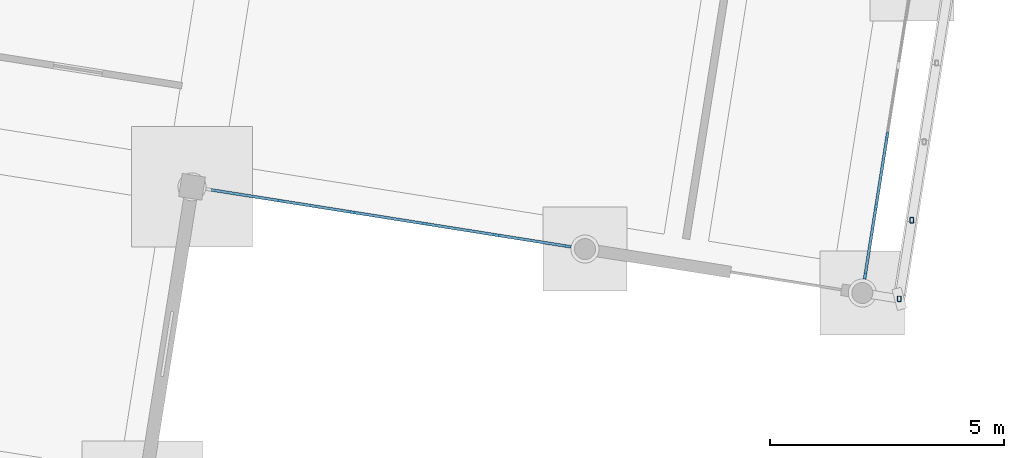
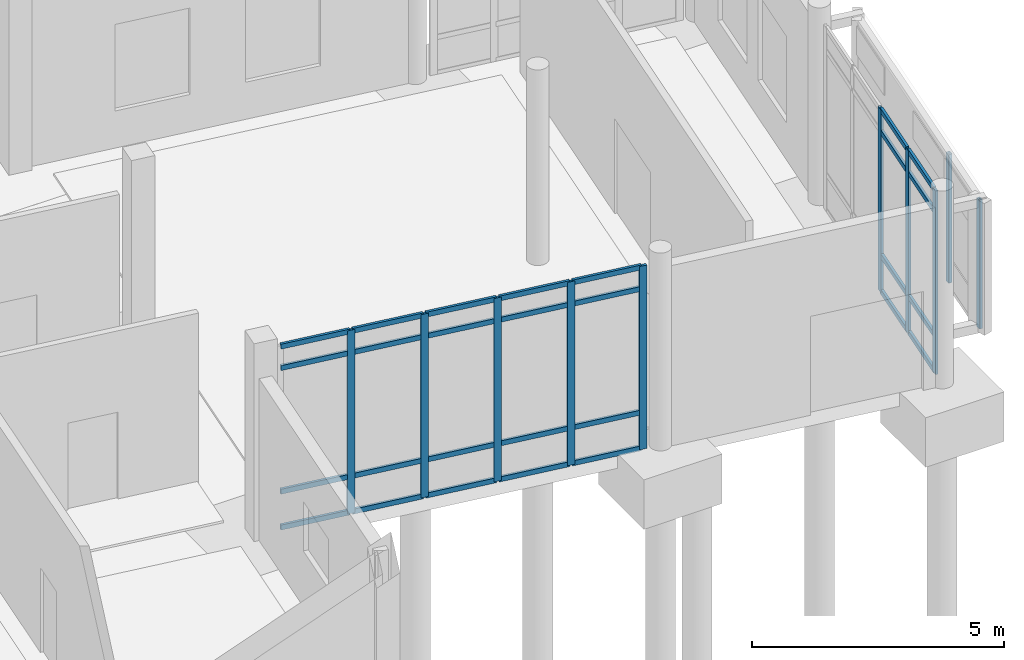
# One storey, part 26 of 72: 38 members, 2 elements without a shape of their own.
"""IFC4 building model written with IfcOpenShell, lengths in metres."""

from ifc_helpers import new_model, si_unit, direction, frame, origin, origin_2d, place, context, subcontext, project, spatial, rectangle, hollow_rectangle, extrude, material, material_profile, profile_set, type_object, element, aggregate, save


model = new_model("IFC4")

# Units and contexts
model_context = context("Model", 3, precision=1e-05, world=origin(), true_north=direction((0.0, 1.0)))
body_context = subcontext(model_context, "Body", "Model", "MODEL_VIEW")
ifc_project = project(units=[si_unit("LENGTHUNIT", "METRE"), si_unit("AREAUNIT", "SQUARE_METRE"), si_unit("VOLUMEUNIT", "CUBIC_METRE"), si_unit("PLANEANGLEUNIT", "RADIAN"), si_unit("MASSUNIT", "GRAM", prefix="KILO")], contexts=[model_context])

# Site, building, storey
site_placement = place(None, origin())
site = spatial("IfcSite", under=ifc_project, at=site_placement, CompositionType="ELEMENT")
building_placement = place(site_placement, origin())
building = spatial("IfcBuilding", under=site, at=building_placement, Name="Cinderway Yard Community Centre", CompositionType="ELEMENT")
storey_placement = place(building_placement, origin())
storey = spatial("IfcBuildingStorey", under=building, at=storey_placement, Name="L00", CompositionType="ELEMENT", Elevation=0.0)

# Curtain wall, members
ifc_material_1 = material(Name="Aluminium 6063-T6", Category="aluminium")
curtain_wall_type_1 = type_object("IfcCurtainWallType", Name="ENV-CW-TYPE-20", PredefinedType="USERDEFINED", material=ifc_material_1)
curtain_wall_1_placement = place(storey_placement, origin())
curtain_wall_1 = element("IfcCurtainWall", 1, at=curtain_wall_1_placement, inside=storey, type_object=curtain_wall_type_1, Name="East Entrance Pavilion Curtain Wall ENV-CW-L00-ST-0069", ObjectType="GLAZED CURTAIN WALL", PredefinedType="USERDEFINED")
ifc_material_profile_1 = material_profile(ifc_material_1, rectangle(XDim=0.06005859375, YDim=0.159912109375, at=origin_2d()), Name="Aluminium 6063-T6")
ifc_profile_set_1 = profile_set([ifc_material_profile_1], Name="Aluminium 6063-T6")
member_type_1 = type_object("IfcMemberType", Name="ENV-CW-MULL-150", PredefinedType="MULLION", material=ifc_profile_set_1)
member_1_placement = place(storey_placement, frame((151.644775390625, 46.44091796875, 0.0), z_axis=(0.0, 0.0, 1.0), x_axis=(0.156410235851, 0.987692177817, 0.0)))
member_1 = element("IfcMember", 2, at=member_1_placement, type_object=member_type_1, Name="CW-20 mullion 2", PredefinedType="MULLION", context=body_context, shape_type="SweptSolid", body=[
    extrude(rectangle(XDim=0.06005859375, YDim=0.159912109375, at=origin_2d()), origin(), (0.0, 0.0, 1.0), 4.449951171875),
])
member_2_placement = place(storey_placement, frame((153.185546875, 46.197021484375, 0.0), z_axis=(0.0, 0.0, 1.0), x_axis=(0.156410235851, 0.987692177817, 0.0)))
member_2 = element("IfcMember", 3, at=member_2_placement, type_object=member_type_1, Name="CW-20 mullion 3", PredefinedType="MULLION", context=body_context, shape_type="SweptSolid", body=[
    extrude(rectangle(XDim=0.06005859375, YDim=0.159912109375, at=origin_2d()), origin(), (0.0, 0.0, 1.0), 4.449951171875),
])
member_3_placement = place(storey_placement, frame((154.726318359375, 45.952880859375, 0.0), z_axis=(0.0, 0.0, 1.0), x_axis=(0.156410235851, 0.987692177817, 0.0)))
member_3 = element("IfcMember", 4, at=member_3_placement, type_object=member_type_1, Name="CW-20 mullion 4", PredefinedType="MULLION", context=body_context, shape_type="SweptSolid", body=[
    extrude(rectangle(XDim=0.06005859375, YDim=0.159912109375, at=origin_2d()), origin(), (0.0, 0.0, 1.0), 4.449951171875),
])
member_4_placement = place(storey_placement, frame((156.26708984375, 45.708984375, 0.0), z_axis=(0.0, 0.0, 1.0), x_axis=(0.156410235851, 0.987692177817, 0.0)))
member_4 = element("IfcMember", 5, at=member_4_placement, type_object=member_type_1, Name="CW-20 mullion 5", PredefinedType="MULLION", context=body_context, shape_type="SweptSolid", body=[
    extrude(rectangle(XDim=0.06005859375, YDim=0.159912109375, at=origin_2d()), origin(), (0.0, 0.0, 1.0), 4.449951171875),
])
member_5_placement = place(storey_placement, frame((157.7783203125, 45.4697265625, 0.0), z_axis=(0.0, 0.0, 1.0), x_axis=(0.156410235851, 0.987692177817, 0.0)))
member_5 = element("IfcMember", 6, at=member_5_placement, type_object=member_type_1, Name="CW-20 mullion 6", PredefinedType="MULLION", context=body_context, shape_type="SweptSolid", body=[
    extrude(rectangle(XDim=0.06005859375, YDim=0.159912109375, at=origin_2d()), origin(), (0.0, 0.0, 1.0), 4.449951171875),
])

curtain_wall_type_2 = type_object("IfcCurtainWallType", Name="ENV-CW-TYPE-21", PredefinedType="USERDEFINED", material=ifc_material_1)
curtain_wall_2_placement = place(storey_placement, origin())
curtain_wall_2 = element("IfcCurtainWall", 7, at=curtain_wall_2_placement, inside=storey, type_object=curtain_wall_type_2, Name="East Entrance Pavilion Curtain Wall ENV-CW-L00-ST-0070", ObjectType="GLAZED CURTAIN WALL", PredefinedType="USERDEFINED")
member_6_placement = place(storey_placement, frame((164.1396484375, 44.8466796875, 0.0), z_axis=(0.0, 0.0, 1.0), x_axis=(-0.987720393592, 0.156231956025, 0.0)))
member_6 = element("IfcMember", 8, at=member_6_placement, type_object=member_type_1, Name="CW-21 mullion 1", PredefinedType="MULLION", context=body_context, shape_type="SweptSolid", body=[
    extrude(rectangle(XDim=0.06005859375, YDim=0.159912109375, at=origin_2d()), origin(), (0.0, 0.0, 1.0), 4.449951171875),
])
member_7_placement = place(storey_placement, frame((164.373291015625, 46.3232421875, 0.0), z_axis=(0.0, 0.0, 1.0), x_axis=(-0.987720393592, 0.156231956025, 0.0)))
member_7 = element("IfcMember", 9, at=member_7_placement, type_object=member_type_1, Name="CW-21 mullion 2", PredefinedType="MULLION", context=body_context, shape_type="SweptSolid", body=[
    extrude(rectangle(XDim=0.06005859375, YDim=0.159912109375, at=origin_2d()), origin(), (0.0, 0.0, 1.0), 4.449951171875),
])
member_8_placement = place(storey_placement, frame((164.611572265625, 47.82958984375, 0.0), z_axis=(0.0, 0.0, 1.0), x_axis=(-0.987720393592, 0.156231956025, 0.0)))
member_8 = element("IfcMember", 10, at=member_8_placement, type_object=member_type_1, Name="CW-21 mullion 3", PredefinedType="MULLION", context=body_context, shape_type="SweptSolid", body=[
    extrude(rectangle(XDim=0.06005859375, YDim=0.159912109375, at=origin_2d()), origin(), (0.0, 0.0, 1.0), 4.449951171875),
])

# Member
ifc_material_profile_2 = material_profile(ifc_material_1, rectangle(XDim=0.06005859375, YDim=0.1201171875, at=origin_2d()), Name="Aluminium 6063-T6")
ifc_profile_set_2 = profile_set([ifc_material_profile_2], Name="Aluminium 6063-T6")
member_type_2 = type_object("IfcMemberType", Name="ENV-CW-TRAN-110", PredefinedType="USERDEFINED", material=ifc_profile_set_2)
member_9_placement = place(storey_placement, frame((150.163330078125, 46.675537109375, 0.030029296875), z_axis=(0.987711739806, -0.15628665666, 0.0), x_axis=(0.15628665666, 0.987711739806, 0.0)))
member_9 = element("IfcMember", 11, at=member_9_placement, type_object=member_type_2, Name="CW-20 transom 1.1", ObjectType="TRANSOM", PredefinedType="USERDEFINED", context=body_context, shape_type="SweptSolid", body=[
    extrude(rectangle(XDim=0.06005859375, YDim=0.1201171875, at=origin_2d()), origin(), (0.0, 0.0, 1.0), 1.469970703125),
])

member_10_placement = place(storey_placement, frame((150.163330078125, 46.675537109375, 0.89990234375), z_axis=(0.987711739806, -0.15628665666, 0.0), x_axis=(0.15628665666, 0.987711739806, 0.0)))
member_10 = element("IfcMember", 12, at=member_10_placement, type_object=member_type_2, Name="CW-20 transom 1.2", ObjectType="TRANSOM", PredefinedType="USERDEFINED", context=body_context, shape_type="SweptSolid", body=[
    extrude(rectangle(XDim=0.06005859375, YDim=0.1201171875, at=origin_2d()), origin(), (0.0, 0.0, 1.0), 1.469970703125),
])

member_11_placement = place(storey_placement, frame((150.163330078125, 46.675537109375, 3.89990234375), z_axis=(0.987711739806, -0.15628665666, 0.0), x_axis=(0.15628665666, 0.987711739806, 0.0)))
member_11 = element("IfcMember", 13, at=member_11_placement, type_object=member_type_2, Name="CW-20 transom 1.3", ObjectType="TRANSOM", PredefinedType="USERDEFINED", context=body_context, shape_type="SweptSolid", body=[
    extrude(rectangle(XDim=0.06005859375, YDim=0.1201171875, at=origin_2d()), origin(), (0.0, 0.0, 1.0), 1.469970703125),
])

member_12_placement = place(storey_placement, frame((150.163330078125, 46.675537109375, 4.419921875), z_axis=(0.987711739806, -0.15628665666, 0.0), x_axis=(0.15628665666, 0.987711739806, 0.0)))
member_12 = element("IfcMember", 14, at=member_12_placement, type_object=member_type_2, Name="CW-20 transom 1.4", ObjectType="TRANSOM", PredefinedType="USERDEFINED", context=body_context, shape_type="SweptSolid", body=[
    extrude(rectangle(XDim=0.06005859375, YDim=0.1201171875, at=origin_2d()), origin(), (0.0, 0.0, 1.0), 1.469970703125),
])

member_13_placement = place(storey_placement, frame((151.67431640625, 46.436279296875, 0.030029296875), z_axis=(0.98769425328, -0.156397129247, 0.0), x_axis=(0.156397129247, 0.98769425328, 0.0)))
member_13 = element("IfcMember", 15, at=member_13_placement, type_object=member_type_2, Name="CW-20 transom 2.1", ObjectType="TRANSOM", PredefinedType="USERDEFINED", context=body_context, shape_type="SweptSolid", body=[
    extrude(rectangle(XDim=0.06005859375, YDim=0.1201171875, at=origin_2d()), origin(), (0.0, 0.0, 1.0), 1.500244140625),
])

member_14_placement = place(storey_placement, frame((151.67431640625, 46.436279296875, 0.89990234375), z_axis=(0.98769425328, -0.156397129247, 0.0), x_axis=(0.156397129247, 0.98769425328, 0.0)))
member_14 = element("IfcMember", 16, at=member_14_placement, type_object=member_type_2, Name="CW-20 transom 2.2", ObjectType="TRANSOM", PredefinedType="USERDEFINED", context=body_context, shape_type="SweptSolid", body=[
    extrude(rectangle(XDim=0.06005859375, YDim=0.1201171875, at=origin_2d()), origin(), (0.0, 0.0, 1.0), 1.500244140625),
])

member_15_placement = place(storey_placement, frame((151.67431640625, 46.436279296875, 3.89990234375), z_axis=(0.98769425328, -0.156397129247, 0.0), x_axis=(0.156397129247, 0.98769425328, 0.0)))
member_15 = element("IfcMember", 17, at=member_15_placement, type_object=member_type_2, Name="CW-20 transom 2.3", ObjectType="TRANSOM", PredefinedType="USERDEFINED", context=body_context, shape_type="SweptSolid", body=[
    extrude(rectangle(XDim=0.06005859375, YDim=0.1201171875, at=origin_2d()), origin(), (0.0, 0.0, 1.0), 1.500244140625),
])

member_16_placement = place(storey_placement, frame((151.67431640625, 46.436279296875, 4.419921875), z_axis=(0.98769425328, -0.156397129247, 0.0), x_axis=(0.156397129247, 0.98769425328, 0.0)))
member_16 = element("IfcMember", 18, at=member_16_placement, type_object=member_type_2, Name="CW-20 transom 2.4", ObjectType="TRANSOM", PredefinedType="USERDEFINED", context=body_context, shape_type="SweptSolid", body=[
    extrude(rectangle(XDim=0.06005859375, YDim=0.1201171875, at=origin_2d()), origin(), (0.0, 0.0, 1.0), 1.500244140625),
])

member_17_placement = place(storey_placement, frame((153.21533203125, 46.1923828125, 0.030029296875), z_axis=(0.987690271588, -0.156422272742, 0.0), x_axis=(0.156422272742, 0.987690271588, 0.0)))
member_17 = element("IfcMember", 19, at=member_17_placement, type_object=member_type_2, Name="CW-20 transom 3.1", ObjectType="TRANSOM", PredefinedType="USERDEFINED", context=body_context, shape_type="SweptSolid", body=[
    extrude(rectangle(XDim=0.06005859375, YDim=0.1201171875, at=origin_2d()), origin(), (0.0, 0.0, 1.0), 1.5),
])

member_18_placement = place(storey_placement, frame((153.21533203125, 46.1923828125, 0.89990234375), z_axis=(0.987690271588, -0.156422272742, 0.0), x_axis=(0.156422272742, 0.987690271588, 0.0)))
member_18 = element("IfcMember", 20, at=member_18_placement, type_object=member_type_2, Name="CW-20 transom 3.2", ObjectType="TRANSOM", PredefinedType="USERDEFINED", context=body_context, shape_type="SweptSolid", body=[
    extrude(rectangle(XDim=0.06005859375, YDim=0.1201171875, at=origin_2d()), origin(), (0.0, 0.0, 1.0), 1.5),
])

member_19_placement = place(storey_placement, frame((153.21533203125, 46.1923828125, 3.89990234375), z_axis=(0.987690271588, -0.156422272742, 0.0), x_axis=(0.156422272742, 0.987690271588, 0.0)))
member_19 = element("IfcMember", 21, at=member_19_placement, type_object=member_type_2, Name="CW-20 transom 3.3", ObjectType="TRANSOM", PredefinedType="USERDEFINED", context=body_context, shape_type="SweptSolid", body=[
    extrude(rectangle(XDim=0.06005859375, YDim=0.1201171875, at=origin_2d()), origin(), (0.0, 0.0, 1.0), 1.5),
])

member_20_placement = place(storey_placement, frame((153.21533203125, 46.1923828125, 4.419921875), z_axis=(0.987690271588, -0.156422272742, 0.0), x_axis=(0.156422272742, 0.987690271588, 0.0)))
member_20 = element("IfcMember", 22, at=member_20_placement, type_object=member_type_2, Name="CW-20 transom 3.4", ObjectType="TRANSOM", PredefinedType="USERDEFINED", context=body_context, shape_type="SweptSolid", body=[
    extrude(rectangle(XDim=0.06005859375, YDim=0.1201171875, at=origin_2d()), origin(), (0.0, 0.0, 1.0), 1.5),
])

member_21_placement = place(storey_placement, frame((154.756103515625, 45.9482421875, 0.030029296875), z_axis=(0.987690271588, -0.156422272742, 0.0), x_axis=(0.156422272742, 0.987690271588, 0.0)))
member_21 = element("IfcMember", 23, at=member_21_placement, type_object=member_type_2, Name="CW-20 transom 4.1", ObjectType="TRANSOM", PredefinedType="USERDEFINED", context=body_context, shape_type="SweptSolid", body=[
    extrude(rectangle(XDim=0.06005859375, YDim=0.1201171875, at=origin_2d()), origin(), (0.0, 0.0, 1.0), 1.5),
])

member_22_placement = place(storey_placement, frame((154.756103515625, 45.9482421875, 0.89990234375), z_axis=(0.987690271588, -0.156422272742, 0.0), x_axis=(0.156422272742, 0.987690271588, 0.0)))
member_22 = element("IfcMember", 24, at=member_22_placement, type_object=member_type_2, Name="CW-20 transom 4.2", ObjectType="TRANSOM", PredefinedType="USERDEFINED", context=body_context, shape_type="SweptSolid", body=[
    extrude(rectangle(XDim=0.06005859375, YDim=0.1201171875, at=origin_2d()), origin(), (0.0, 0.0, 1.0), 1.5),
])

member_23_placement = place(storey_placement, frame((154.756103515625, 45.9482421875, 3.89990234375), z_axis=(0.987690271588, -0.156422272742, 0.0), x_axis=(0.156422272742, 0.987690271588, 0.0)))
member_23 = element("IfcMember", 25, at=member_23_placement, type_object=member_type_2, Name="CW-20 transom 4.3", ObjectType="TRANSOM", PredefinedType="USERDEFINED", context=body_context, shape_type="SweptSolid", body=[
    extrude(rectangle(XDim=0.06005859375, YDim=0.1201171875, at=origin_2d()), origin(), (0.0, 0.0, 1.0), 1.5),
])

member_24_placement = place(storey_placement, frame((154.756103515625, 45.9482421875, 4.419921875), z_axis=(0.987690271588, -0.156422272742, 0.0), x_axis=(0.156422272742, 0.987690271588, 0.0)))
member_24 = element("IfcMember", 26, at=member_24_placement, type_object=member_type_2, Name="CW-20 transom 4.4", ObjectType="TRANSOM", PredefinedType="USERDEFINED", context=body_context, shape_type="SweptSolid", body=[
    extrude(rectangle(XDim=0.06005859375, YDim=0.1201171875, at=origin_2d()), origin(), (0.0, 0.0, 1.0), 1.5),
])

member_25_placement = place(storey_placement, frame((156.296875, 45.704345703125, 0.030029296875), z_axis=(0.987686089167, -0.156448679333, 0.0), x_axis=(0.156448679333, 0.987686089167, 0.0)))
member_25 = element("IfcMember", 27, at=member_25_placement, type_object=member_type_2, Name="CW-20 transom 5.1", ObjectType="TRANSOM", PredefinedType="USERDEFINED", context=body_context, shape_type="SweptSolid", body=[
    extrude(rectangle(XDim=0.06005859375, YDim=0.1201171875, at=origin_2d()), origin(), (0.0, 0.0, 1.0), 1.469970703125),
])

member_26_placement = place(storey_placement, frame((156.296875, 45.704345703125, 0.89990234375), z_axis=(0.987686089167, -0.156448679333, 0.0), x_axis=(0.156448679333, 0.987686089167, 0.0)))
member_26 = element("IfcMember", 28, at=member_26_placement, type_object=member_type_2, Name="CW-20 transom 5.2", ObjectType="TRANSOM", PredefinedType="USERDEFINED", context=body_context, shape_type="SweptSolid", body=[
    extrude(rectangle(XDim=0.06005859375, YDim=0.1201171875, at=origin_2d()), origin(), (0.0, 0.0, 1.0), 1.469970703125),
])

member_27_placement = place(storey_placement, frame((156.296875, 45.704345703125, 3.89990234375), z_axis=(0.987686089167, -0.156448679333, 0.0), x_axis=(0.156448679333, 0.987686089167, 0.0)))
member_27 = element("IfcMember", 29, at=member_27_placement, type_object=member_type_2, Name="CW-20 transom 5.3", ObjectType="TRANSOM", PredefinedType="USERDEFINED", context=body_context, shape_type="SweptSolid", body=[
    extrude(rectangle(XDim=0.06005859375, YDim=0.1201171875, at=origin_2d()), origin(), (0.0, 0.0, 1.0), 1.469970703125),
])

member_28_placement = place(storey_placement, frame((156.296875, 45.704345703125, 4.419921875), z_axis=(0.987686089167, -0.156448679333, 0.0), x_axis=(0.156448679333, 0.987686089167, 0.0)))
member_28 = element("IfcMember", 30, at=member_28_placement, type_object=member_type_2, Name="CW-20 transom 5.4", ObjectType="TRANSOM", PredefinedType="USERDEFINED", context=body_context, shape_type="SweptSolid", body=[
    extrude(rectangle(XDim=0.06005859375, YDim=0.1201171875, at=origin_2d()), origin(), (0.0, 0.0, 1.0), 1.469970703125),
])

aggregate(curtain_wall_1, [member_1, member_2, member_3, member_4, member_5, member_9, member_10, member_11, member_12, member_13, member_14, member_15, member_16, member_17, member_18, member_19, member_20, member_21, member_22, member_23, member_24, member_25, member_26, member_27, member_28])

member_29_placement = place(storey_placement, frame((164.144287109375, 44.876220703125, 0.030029296875), z_axis=(0.15633820055, 0.987703582584, 0.0), x_axis=(-0.987703582584, 0.15633820055, 0.0)))
member_29 = element("IfcMember", 31, at=member_29_placement, type_object=member_type_2, Name="CW-21 transom 1.1", ObjectType="TRANSOM", PredefinedType="USERDEFINED", context=body_context, shape_type="SweptSolid", body=[
    extrude(rectangle(XDim=0.06005859375, YDim=0.1201171875, at=origin_2d()), origin(), (0.0, 0.0, 1.0), 1.43505859375),
])

member_30_placement = place(storey_placement, frame((164.144287109375, 44.876220703125, 0.89990234375), z_axis=(0.15633820055, 0.987703582584, 0.0), x_axis=(-0.987703582584, 0.15633820055, 0.0)))
member_30 = element("IfcMember", 32, at=member_30_placement, type_object=member_type_2, Name="CW-21 transom 1.2", ObjectType="TRANSOM", PredefinedType="USERDEFINED", context=body_context, shape_type="SweptSolid", body=[
    extrude(rectangle(XDim=0.06005859375, YDim=0.1201171875, at=origin_2d()), origin(), (0.0, 0.0, 1.0), 1.43505859375),
])

member_31_placement = place(storey_placement, frame((164.144287109375, 44.876220703125, 3.89990234375), z_axis=(0.15633820055, 0.987703582584, 0.0), x_axis=(-0.987703582584, 0.15633820055, 0.0)))
member_31 = element("IfcMember", 33, at=member_31_placement, type_object=member_type_2, Name="CW-21 transom 1.3", ObjectType="TRANSOM", PredefinedType="USERDEFINED", context=body_context, shape_type="SweptSolid", body=[
    extrude(rectangle(XDim=0.06005859375, YDim=0.1201171875, at=origin_2d()), origin(), (0.0, 0.0, 1.0), 1.43505859375),
])

member_32_placement = place(storey_placement, frame((164.144287109375, 44.876220703125, 4.419921875), z_axis=(0.15633820055, 0.987703582584, 0.0), x_axis=(-0.987703582584, 0.15633820055, 0.0)))
member_32 = element("IfcMember", 34, at=member_32_placement, type_object=member_type_2, Name="CW-21 transom 1.4", ObjectType="TRANSOM", PredefinedType="USERDEFINED", context=body_context, shape_type="SweptSolid", body=[
    extrude(rectangle(XDim=0.06005859375, YDim=0.1201171875, at=origin_2d()), origin(), (0.0, 0.0, 1.0), 1.43505859375),
])

member_33_placement = place(storey_placement, frame((164.3779296875, 46.352783203125, 0.030029296875), z_axis=(0.156313419838, 0.987707504669, 0.0), x_axis=(-0.987707504669, 0.156313419838, 0.0)))
member_33 = element("IfcMember", 35, at=member_33_placement, type_object=member_type_2, Name="CW-21 transom 2.1", ObjectType="TRANSOM", PredefinedType="USERDEFINED", context=body_context, shape_type="SweptSolid", body=[
    extrude(rectangle(XDim=0.06005859375, YDim=0.1201171875, at=origin_2d()), origin(), (0.0, 0.0, 1.0), 1.465087890625),
])

member_34_placement = place(storey_placement, frame((164.3779296875, 46.352783203125, 0.89990234375), z_axis=(0.156313419838, 0.987707504669, 0.0), x_axis=(-0.987707504669, 0.156313419838, 0.0)))
member_34 = element("IfcMember", 36, at=member_34_placement, type_object=member_type_2, Name="CW-21 transom 2.2", ObjectType="TRANSOM", PredefinedType="USERDEFINED", context=body_context, shape_type="SweptSolid", body=[
    extrude(rectangle(XDim=0.06005859375, YDim=0.1201171875, at=origin_2d()), origin(), (0.0, 0.0, 1.0), 1.465087890625),
])

member_35_placement = place(storey_placement, frame((164.3779296875, 46.352783203125, 3.89990234375), z_axis=(0.156313419838, 0.987707504669, 0.0), x_axis=(-0.987707504669, 0.156313419838, 0.0)))
member_35 = element("IfcMember", 37, at=member_35_placement, type_object=member_type_2, Name="CW-21 transom 2.3", ObjectType="TRANSOM", PredefinedType="USERDEFINED", context=body_context, shape_type="SweptSolid", body=[
    extrude(rectangle(XDim=0.06005859375, YDim=0.1201171875, at=origin_2d()), origin(), (0.0, 0.0, 1.0), 1.465087890625),
])

member_36_placement = place(storey_placement, frame((164.3779296875, 46.352783203125, 4.419921875), z_axis=(0.156313419838, 0.987707504669, 0.0), x_axis=(-0.987707504669, 0.156313419838, 0.0)))
member_36 = element("IfcMember", 38, at=member_36_placement, type_object=member_type_2, Name="CW-21 transom 2.4", ObjectType="TRANSOM", PredefinedType="USERDEFINED", context=body_context, shape_type="SweptSolid", body=[
    extrude(rectangle(XDim=0.06005859375, YDim=0.1201171875, at=origin_2d()), origin(), (0.0, 0.0, 1.0), 1.465087890625),
])

aggregate(curtain_wall_2, [member_6, member_7, member_8, member_29, member_30, member_31, member_32, member_33, member_34, member_35, member_36])

# Members
ifc_material_2 = material(Name="Steel S355", Category="steel")
ifc_material_profile_3 = material_profile(ifc_material_2, hollow_rectangle(XDim=0.080078125, YDim=0.1201171875, WallThickness=0.00634765625, InnerFilletRadius=0.00634765625, OuterFilletRadius=0.0126953125, at=origin_2d()), Name="Steel S355")
ifc_profile_set_3 = profile_set([ifc_material_profile_3], Name="Steel S355")
member_type_3 = type_object("IfcMemberType", Name="ENV-MEM-SCREEN-RAIL-120", PredefinedType="STRINGER", material=ifc_profile_set_3)
for number, where, z_axis, x_axis, name in (
    (39, (164.8701171875, 44.345947265625, 1.139892578125), (0.0, 0.0, 1.0), (1.0, 0.0, 0.0), "Screen vertical mullion 1114"),
    (40, (165.135986328125, 46.02490234375, 1.139892578125), (0.0, 0.0, 1.0), (1.0, 0.0, 0.0), "Screen vertical mullion 1115"),
):
    element("IfcMember", number, at=place(storey_placement, frame(where, z_axis=z_axis, x_axis=x_axis)), inside=storey, type_object=member_type_3, Name=name, PredefinedType="STRINGER", context=body_context, shape_type="SweptSolid", body=[
        extrude(hollow_rectangle(XDim=0.080078125, YDim=0.1201171875, WallThickness=0.00634765625, InnerFilletRadius=0.00634765625, OuterFilletRadius=0.0126953125, at=origin_2d()), origin(), (0.0, 0.0, 1.0), 3.1201171875),
    ])

save(model, "model.ifc")
